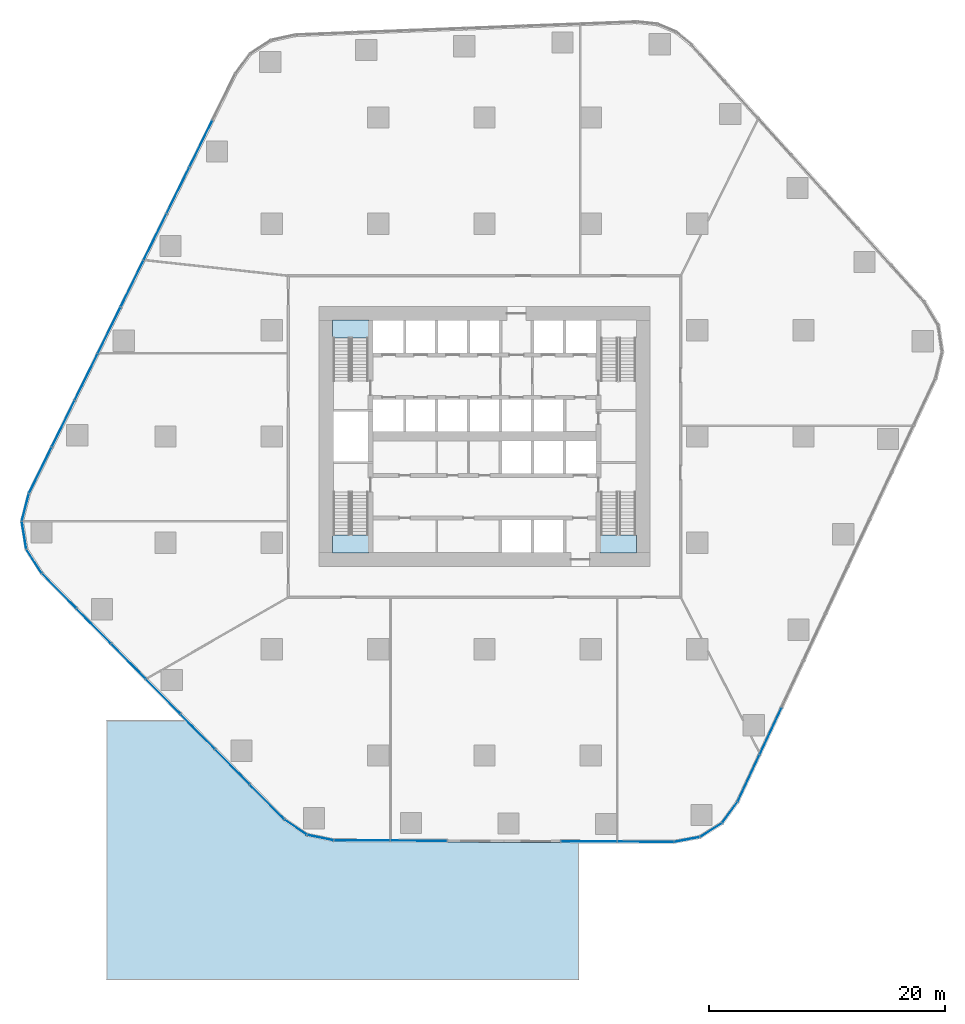
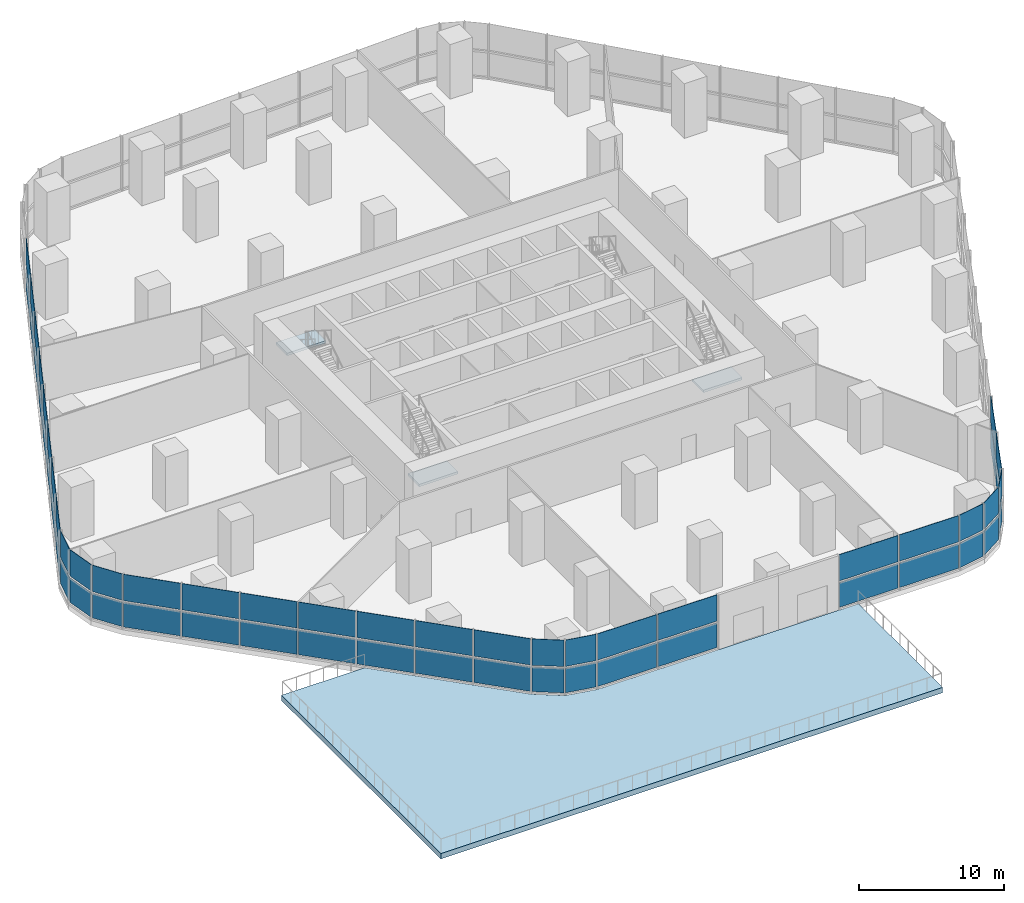
# One storey, part 8 of 15: 58 plates, 4 slabs, 11 elements without a shape of their own.
"""IFC4 building model written with IfcOpenShell, lengths in metres."""

from ifc_helpers import new_model, si_unit, direction, frame, origin, origin_2d, place, context, subcontext, project, spatial, polyline, rectangle, outline, extrude, material, layer, layer_set, type_object, element, aggregate, save


model = new_model("IFC4")

# Units and contexts
model_context = context("Model", 3, precision=1e-05, world=origin(), true_north=direction((0.0, 1.0)))
body_context = subcontext(model_context, "Body", "Model", "MODEL_VIEW")
ifc_project = project(units=[si_unit("LENGTHUNIT", "METRE"), si_unit("AREAUNIT", "SQUARE_METRE"), si_unit("VOLUMEUNIT", "CUBIC_METRE"), si_unit("PLANEANGLEUNIT", "RADIAN"), si_unit("MASSUNIT", "GRAM", prefix="KILO")], contexts=[model_context])

# Site, building, storey
site_placement = place(None, origin())
site = spatial("IfcSite", under=ifc_project, at=site_placement, CompositionType="ELEMENT")
building_placement = place(site_placement, origin())
building = spatial("IfcBuilding", under=site, at=building_placement, Name="Dongbaek Canopy Tower", CompositionType="ELEMENT")
storey_placement = place(building_placement, frame((0.0, 0.0, 33.0)))
storey = spatial("IfcBuildingStorey", under=building, at=storey_placement, Name="L04", CompositionType="ELEMENT", Elevation=33.0)

# Curtain wall, plates
ifc_material_1 = material(Name="Aluminium 6063-T6 pale anodised", Category="aluminium")
ifc_layer_1 = layer(ifc_material_1, 0.300048828125)
ifc_layer_set_1 = layer_set([ifc_layer_1], Name="CW-2 podium hall curtain wall")
curtain_wall_type = type_object("IfcCurtainWallType", Name="CW-2 podium hall curtain wall", PredefinedType="NOTDEFINED", material=ifc_layer_set_1)
curtain_wall_1_placement = place(storey_placement, origin())
curtain_wall_1 = element("IfcCurtainWall", 1, at=curtain_wall_1_placement, inside=storey, type_object=curtain_wall_type, Name="CW-2 curtain wall F2.1", PredefinedType="NOTDEFINED")
ifc_material_2 = material(Name="Clear laminated glass", Category="glass")
ifc_layer_2 = layer(ifc_material_2, 0.035888671875)
ifc_layer_set_2 = layer_set([ifc_layer_2], Name="CW-2 glazed panel 36")
plate_type = type_object("IfcPlateType", Name="CW-2 glazed panel 36", PredefinedType="CURTAIN_PANEL", material=ifc_layer_set_2)
plate_1_placement = place(storey_placement, frame((-24.001953125, 24.771484375, 0.159912109375), z_axis=(0.0, 0.0, 1.0), x_axis=(-0.441341613378, -0.897339166815, 0.0)))
plate_1 = element("IfcPlate", 2, at=plate_1_placement, type_object=plate_type, Name="CW-2 panel F2.1.2.1", PredefinedType="CURTAIN_PANEL", context=body_context, shape_type="SweptSolid", body=[
    extrude(rectangle(XDim=4.29541015625, YDim=0.035888671875, at=origin_2d()), origin(), (0.0, 0.0, 1.0), 2.06005859375),
])
plate_2_placement = place(storey_placement, frame((-24.001953125, 24.771484375, 2.3798828125), z_axis=(0.0, 0.0, 1.0), x_axis=(-0.441341613378, -0.897339166815, 0.0)))
plate_2 = element("IfcPlate", 3, at=plate_2_placement, type_object=plate_type, Name="CW-2 panel F2.1.2.2", PredefinedType="CURTAIN_PANEL", context=body_context, shape_type="SweptSolid", body=[
    extrude(rectangle(XDim=4.29541015625, YDim=0.035888671875, at=origin_2d()), origin(), (0.0, 0.0, 1.0), 2.219970703125),
])
plate_3_placement = place(storey_placement, frame((-25.943603515625, 20.82373046875, 0.159912109375), z_axis=(0.0, 0.0, 1.0), x_axis=(-0.441341613378, -0.897339166815, 0.0)))
plate_3 = element("IfcPlate", 4, at=plate_3_placement, type_object=plate_type, Name="CW-2 panel F2.1.3.1", PredefinedType="CURTAIN_PANEL", context=body_context, shape_type="SweptSolid", body=[
    extrude(rectangle(XDim=4.29541015625, YDim=0.035888671875, at=origin_2d()), origin(), (0.0, 0.0, 1.0), 2.06005859375),
])
plate_4_placement = place(storey_placement, frame((-25.943603515625, 20.82373046875, 2.3798828125), z_axis=(0.0, 0.0, 1.0), x_axis=(-0.441341613378, -0.897339166815, 0.0)))
plate_4 = element("IfcPlate", 5, at=plate_4_placement, type_object=plate_type, Name="CW-2 panel F2.1.3.2", PredefinedType="CURTAIN_PANEL", context=body_context, shape_type="SweptSolid", body=[
    extrude(rectangle(XDim=4.29541015625, YDim=0.035888671875, at=origin_2d()), origin(), (0.0, 0.0, 1.0), 2.219970703125),
])
plate_5_placement = place(storey_placement, frame((-27.88525390625, 16.8759765625, 0.159912109375), z_axis=(0.0, 0.0, 1.0), x_axis=(-0.441341613378, -0.897339166815, 0.0)))
plate_5 = element("IfcPlate", 6, at=plate_5_placement, type_object=plate_type, Name="CW-2 panel F2.1.4.1", PredefinedType="CURTAIN_PANEL", context=body_context, shape_type="SweptSolid", body=[
    extrude(rectangle(XDim=4.29541015625, YDim=0.035888671875, at=origin_2d()), origin(), (0.0, 0.0, 1.0), 2.06005859375),
])
plate_6_placement = place(storey_placement, frame((-27.88525390625, 16.8759765625, 2.3798828125), z_axis=(0.0, 0.0, 1.0), x_axis=(-0.441341613378, -0.897339166815, 0.0)))
plate_6 = element("IfcPlate", 7, at=plate_6_placement, type_object=plate_type, Name="CW-2 panel F2.1.4.2", PredefinedType="CURTAIN_PANEL", context=body_context, shape_type="SweptSolid", body=[
    extrude(rectangle(XDim=4.29541015625, YDim=0.035888671875, at=origin_2d()), origin(), (0.0, 0.0, 1.0), 2.219970703125),
])
plate_7_placement = place(storey_placement, frame((-29.826904296875, 12.92822265625, 0.159912109375), z_axis=(0.0, 0.0, 1.0), x_axis=(-0.441341613378, -0.897339166815, 0.0)))
plate_7 = element("IfcPlate", 8, at=plate_7_placement, type_object=plate_type, Name="CW-2 panel F2.1.5.1", PredefinedType="CURTAIN_PANEL", context=body_context, shape_type="SweptSolid", body=[
    extrude(rectangle(XDim=4.29541015625, YDim=0.035888671875, at=origin_2d()), origin(), (0.0, 0.0, 1.0), 2.06005859375),
])
plate_8_placement = place(storey_placement, frame((-29.826904296875, 12.92822265625, 2.3798828125), z_axis=(0.0, 0.0, 1.0), x_axis=(-0.441341613378, -0.897339166815, 0.0)))
plate_8 = element("IfcPlate", 9, at=plate_8_placement, type_object=plate_type, Name="CW-2 panel F2.1.5.2", PredefinedType="CURTAIN_PANEL", context=body_context, shape_type="SweptSolid", body=[
    extrude(rectangle(XDim=4.29541015625, YDim=0.035888671875, at=origin_2d()), origin(), (0.0, 0.0, 1.0), 2.219970703125),
])
plate_9_placement = place(storey_placement, frame((-31.7685546875, 8.98046875, 0.159912109375), z_axis=(0.0, 0.0, 1.0), x_axis=(-0.441341613378, -0.897339166815, 0.0)))
plate_9 = element("IfcPlate", 10, at=plate_9_placement, type_object=plate_type, Name="CW-2 panel F2.1.6.1", PredefinedType="CURTAIN_PANEL", context=body_context, shape_type="SweptSolid", body=[
    extrude(rectangle(XDim=4.29541015625, YDim=0.035888671875, at=origin_2d()), origin(), (0.0, 0.0, 1.0), 2.06005859375),
])
plate_10_placement = place(storey_placement, frame((-31.7685546875, 8.98046875, 2.3798828125), z_axis=(0.0, 0.0, 1.0), x_axis=(-0.441341613378, -0.897339166815, 0.0)))
plate_10 = element("IfcPlate", 11, at=plate_10_placement, type_object=plate_type, Name="CW-2 panel F2.1.6.2", PredefinedType="CURTAIN_PANEL", context=body_context, shape_type="SweptSolid", body=[
    extrude(rectangle(XDim=4.29541015625, YDim=0.035888671875, at=origin_2d()), origin(), (0.0, 0.0, 1.0), 2.219970703125),
])
plate_11_placement = place(storey_placement, frame((-33.710205078125, 5.032470703125, 0.159912109375), z_axis=(0.0, 0.0, 1.0), x_axis=(-0.441341613378, -0.897339166815, 0.0)))
plate_11 = element("IfcPlate", 12, at=plate_11_placement, type_object=plate_type, Name="CW-2 panel F2.1.7.1", PredefinedType="CURTAIN_PANEL", context=body_context, shape_type="SweptSolid", body=[
    extrude(rectangle(XDim=4.29541015625, YDim=0.035888671875, at=origin_2d()), origin(), (0.0, 0.0, 1.0), 2.06005859375),
])
plate_12_placement = place(storey_placement, frame((-33.710205078125, 5.032470703125, 2.3798828125), z_axis=(0.0, 0.0, 1.0), x_axis=(-0.441341613378, -0.897339166815, 0.0)))
plate_12 = element("IfcPlate", 13, at=plate_12_placement, type_object=plate_type, Name="CW-2 panel F2.1.7.2", PredefinedType="CURTAIN_PANEL", context=body_context, shape_type="SweptSolid", body=[
    extrude(rectangle(XDim=4.29541015625, YDim=0.035888671875, at=origin_2d()), origin(), (0.0, 0.0, 1.0), 2.219970703125),
])
plate_13_placement = place(storey_placement, frame((-35.65185546875, 1.084716796875, 0.159912109375), z_axis=(0.0, 0.0, 1.0), x_axis=(-0.441341613378, -0.897339166815, 0.0)))
plate_13 = element("IfcPlate", 14, at=plate_13_placement, type_object=plate_type, Name="CW-2 panel F2.1.8.1", PredefinedType="CURTAIN_PANEL", context=body_context, shape_type="SweptSolid", body=[
    extrude(rectangle(XDim=4.29541015625, YDim=0.035888671875, at=origin_2d()), origin(), (0.0, 0.0, 1.0), 2.06005859375),
])
plate_14_placement = place(storey_placement, frame((-35.65185546875, 1.084716796875, 2.3798828125), z_axis=(0.0, 0.0, 1.0), x_axis=(-0.441341613378, -0.897339166815, 0.0)))
plate_14 = element("IfcPlate", 15, at=plate_14_placement, type_object=plate_type, Name="CW-2 panel F2.1.8.2", PredefinedType="CURTAIN_PANEL", context=body_context, shape_type="SweptSolid", body=[
    extrude(rectangle(XDim=4.29541015625, YDim=0.035888671875, at=origin_2d()), origin(), (0.0, 0.0, 1.0), 2.219970703125),
])
plate_15_placement = place(storey_placement, frame((-37.59130859375, -2.8583984375, 0.159912109375), z_axis=(0.0, 0.0, 1.0), x_axis=(-0.441341613378, -0.897339166815, 0.0)))
plate_15 = element("IfcPlate", 16, at=plate_15_placement, type_object=plate_type, Name="CW-2 panel F2.1.9.1", PredefinedType="CURTAIN_PANEL", context=body_context, shape_type="SweptSolid", body=[
    extrude(rectangle(XDim=4.28515625, YDim=0.035888671875, at=origin_2d()), origin(), (0.0, 0.0, 1.0), 2.06005859375),
])
plate_16_placement = place(storey_placement, frame((-37.59130859375, -2.8583984375, 2.3798828125), z_axis=(0.0, 0.0, 1.0), x_axis=(-0.441341613378, -0.897339166815, 0.0)))
plate_16 = element("IfcPlate", 17, at=plate_16_placement, type_object=plate_type, Name="CW-2 panel F2.1.9.2", PredefinedType="CURTAIN_PANEL", context=body_context, shape_type="SweptSolid", body=[
    extrude(rectangle(XDim=4.28515625, YDim=0.035888671875, at=origin_2d()), origin(), (0.0, 0.0, 1.0), 2.219970703125),
])
aggregate(curtain_wall_1, [plate_1, plate_2, plate_3, plate_4, plate_5, plate_6, plate_7, plate_8, plate_9, plate_10, plate_11, plate_12, plate_13, plate_14, plate_15, plate_16])

curtain_wall_2_placement = place(storey_placement, origin())
curtain_wall_2 = element("IfcCurtainWall", 18, at=curtain_wall_2_placement, inside=storey, type_object=curtain_wall_type, Name="CW-2 curtain wall K2.1", PredefinedType="NOTDEFINED")
plate_17_placement = place(storey_placement, frame((-38.86083984375, -6.000244140625, 0.159912109375), z_axis=(0.0, 0.0, 1.0), x_axis=(-0.248641038295, -0.968595702074, 0.0)))
plate_17 = element("IfcPlate", 19, at=plate_17_placement, type_object=plate_type, Name="CW-2 panel K2.1.1.1", PredefinedType="CURTAIN_PANEL", context=body_context, shape_type="SweptSolid", body=[
    extrude(rectangle(XDim=2.317138671875, YDim=0.035888671875, at=origin_2d()), origin(), (0.0, 0.0, 1.0), 2.06005859375),
])
plate_18_placement = place(storey_placement, frame((-38.86083984375, -6.000244140625, 2.3798828125), z_axis=(0.0, 0.0, 1.0), x_axis=(-0.248641038295, -0.968595702074, 0.0)))
plate_18 = element("IfcPlate", 20, at=plate_18_placement, type_object=plate_type, Name="CW-2 panel K2.1.1.2", PredefinedType="CURTAIN_PANEL", context=body_context, shape_type="SweptSolid", body=[
    extrude(rectangle(XDim=2.317138671875, YDim=0.035888671875, at=origin_2d()), origin(), (0.0, 0.0, 1.0), 2.219970703125),
])
plate_19_placement = place(storey_placement, frame((-38.969482421875, -8.36279296875, 0.159912109375), z_axis=(0.0, 0.0, 1.0), x_axis=(0.159670565069, -0.987170355435, 0.0)))
plate_19 = element("IfcPlate", 21, at=plate_19_placement, type_object=plate_type, Name="CW-2 panel K2.1.2.1", PredefinedType="CURTAIN_PANEL", context=body_context, shape_type="SweptSolid", body=[
    extrude(rectangle(XDim=2.306640625, YDim=0.035888671875, at=origin_2d()), origin(), (0.0, 0.0, 1.0), 2.06005859375),
])
plate_20_placement = place(storey_placement, frame((-38.969482421875, -8.36279296875, 2.3798828125), z_axis=(0.0, 0.0, 1.0), x_axis=(0.159670565069, -0.987170355435, 0.0)))
plate_20 = element("IfcPlate", 22, at=plate_20_placement, type_object=plate_type, Name="CW-2 panel K2.1.2.2", PredefinedType="CURTAIN_PANEL", context=body_context, shape_type="SweptSolid", body=[
    extrude(rectangle(XDim=2.306640625, YDim=0.035888671875, at=origin_2d()), origin(), (0.0, 0.0, 1.0), 2.219970703125),
])
plate_21_placement = place(storey_placement, frame((-38.12158203125, -10.570556640625, 0.159912109375), z_axis=(0.0, 0.0, 1.0), x_axis=(0.541305923405, -0.840825723493, 0.0)))
plate_21 = element("IfcPlate", 23, at=plate_21_placement, type_object=plate_type, Name="CW-2 panel K2.1.3.1", PredefinedType="CURTAIN_PANEL", context=body_context, shape_type="SweptSolid", body=[
    extrude(rectangle(XDim=2.317138671875, YDim=0.035888671875, at=origin_2d()), origin(), (0.0, 0.0, 1.0), 2.06005859375),
])
plate_22_placement = place(storey_placement, frame((-38.12158203125, -10.570556640625, 2.3798828125), z_axis=(0.0, 0.0, 1.0), x_axis=(0.541305923405, -0.840825723493, 0.0)))
plate_22 = element("IfcPlate", 24, at=plate_22_placement, type_object=plate_type, Name="CW-2 panel K2.1.3.2", PredefinedType="CURTAIN_PANEL", context=body_context, shape_type="SweptSolid", body=[
    extrude(rectangle(XDim=2.317138671875, YDim=0.035888671875, at=origin_2d()), origin(), (0.0, 0.0, 1.0), 2.219970703125),
])
aggregate(curtain_wall_2, [plate_17, plate_18, plate_19, plate_20, plate_21, plate_22])

curtain_wall_3_placement = place(storey_placement, origin())
curtain_wall_3 = element("IfcCurtainWall", 25, at=curtain_wall_3_placement, inside=storey, type_object=curtain_wall_type, Name="CW-2 curtain wall F3.1", PredefinedType="NOTDEFINED")
plate_23_placement = place(storey_placement, frame((-36.00341796875, -13.07373046875, 0.159912109375), z_axis=(0.0, 0.0, 1.0), x_axis=(0.701718254486, -0.712454553863, 0.0)))
plate_23 = element("IfcPlate", 26, at=plate_23_placement, type_object=plate_type, Name="CW-2 panel F3.1.1.1", PredefinedType="CURTAIN_PANEL", context=body_context, shape_type="SweptSolid", body=[
    extrude(rectangle(XDim=4.065673828125, YDim=0.035888671875, at=origin_2d()), origin(), (0.0, 0.0, 1.0), 2.06005859375),
])
plate_24_placement = place(storey_placement, frame((-36.00341796875, -13.07373046875, 2.3798828125), z_axis=(0.0, 0.0, 1.0), x_axis=(0.701718254486, -0.712454553863, 0.0)))
plate_24 = element("IfcPlate", 27, at=plate_24_placement, type_object=plate_type, Name="CW-2 panel F3.1.1.2", PredefinedType="CURTAIN_PANEL", context=body_context, shape_type="SweptSolid", body=[
    extrude(rectangle(XDim=4.065673828125, YDim=0.035888671875, at=origin_2d()), origin(), (0.0, 0.0, 1.0), 2.219970703125),
])
plate_25_placement = place(storey_placement, frame((-33.07373046875, -16.048095703125, 0.159912109375), z_axis=(0.0, 0.0, 1.0), x_axis=(0.701718254486, -0.712454553863, 0.0)))
plate_25 = element("IfcPlate", 28, at=plate_25_placement, type_object=plate_type, Name="CW-2 panel F3.1.2.1", PredefinedType="CURTAIN_PANEL", context=body_context, shape_type="SweptSolid", body=[
    extrude(rectangle(XDim=4.075927734375, YDim=0.035888671875, at=origin_2d()), origin(), (0.0, 0.0, 1.0), 2.06005859375),
])
plate_26_placement = place(storey_placement, frame((-33.07373046875, -16.048095703125, 2.3798828125), z_axis=(0.0, 0.0, 1.0), x_axis=(0.701718254486, -0.712454553863, 0.0)))
plate_26 = element("IfcPlate", 29, at=plate_26_placement, type_object=plate_type, Name="CW-2 panel F3.1.2.2", PredefinedType="CURTAIN_PANEL", context=body_context, shape_type="SweptSolid", body=[
    extrude(rectangle(XDim=4.075927734375, YDim=0.035888671875, at=origin_2d()), origin(), (0.0, 0.0, 1.0), 2.219970703125),
])
plate_27_placement = place(storey_placement, frame((-30.140625, -19.026123046875, 0.159912109375), z_axis=(0.0, 0.0, 1.0), x_axis=(0.701718254486, -0.712454553863, 0.0)))
plate_27 = element("IfcPlate", 30, at=plate_27_placement, type_object=plate_type, Name="CW-2 panel F3.1.3.1", PredefinedType="CURTAIN_PANEL", context=body_context, shape_type="SweptSolid", body=[
    extrude(rectangle(XDim=4.075927734375, YDim=0.035888671875, at=origin_2d()), origin(), (0.0, 0.0, 1.0), 2.06005859375),
])
plate_28_placement = place(storey_placement, frame((-30.140625, -19.026123046875, 2.3798828125), z_axis=(0.0, 0.0, 1.0), x_axis=(0.701718254486, -0.712454553863, 0.0)))
plate_28 = element("IfcPlate", 31, at=plate_28_placement, type_object=plate_type, Name="CW-2 panel F3.1.3.2", PredefinedType="CURTAIN_PANEL", context=body_context, shape_type="SweptSolid", body=[
    extrude(rectangle(XDim=4.075927734375, YDim=0.035888671875, at=origin_2d()), origin(), (0.0, 0.0, 1.0), 2.219970703125),
])
plate_29_placement = place(storey_placement, frame((-27.207275390625, -22.00439453125, 0.159912109375), z_axis=(0.0, 0.0, 1.0), x_axis=(0.701718254486, -0.712454553863, 0.0)))
plate_29 = element("IfcPlate", 32, at=plate_29_placement, type_object=plate_type, Name="CW-2 panel F3.1.4.1", PredefinedType="CURTAIN_PANEL", context=body_context, shape_type="SweptSolid", body=[
    extrude(rectangle(XDim=4.075927734375, YDim=0.035888671875, at=origin_2d()), origin(), (0.0, 0.0, 1.0), 2.06005859375),
])
plate_30_placement = place(storey_placement, frame((-27.207275390625, -22.00439453125, 2.3798828125), z_axis=(0.0, 0.0, 1.0), x_axis=(0.701718254486, -0.712454553863, 0.0)))
plate_30 = element("IfcPlate", 33, at=plate_30_placement, type_object=plate_type, Name="CW-2 panel F3.1.4.2", PredefinedType="CURTAIN_PANEL", context=body_context, shape_type="SweptSolid", body=[
    extrude(rectangle(XDim=4.075927734375, YDim=0.035888671875, at=origin_2d()), origin(), (0.0, 0.0, 1.0), 2.219970703125),
])
plate_31_placement = place(storey_placement, frame((-24.274169921875, -24.982421875, 0.159912109375), z_axis=(0.0, 0.0, 1.0), x_axis=(0.701718254486, -0.712454553863, 0.0)))
plate_31 = element("IfcPlate", 34, at=plate_31_placement, type_object=plate_type, Name="CW-2 panel F3.1.5.1", PredefinedType="CURTAIN_PANEL", context=body_context, shape_type="SweptSolid", body=[
    extrude(rectangle(XDim=4.075927734375, YDim=0.035888671875, at=origin_2d()), origin(), (0.0, 0.0, 1.0), 2.06005859375),
])
plate_32_placement = place(storey_placement, frame((-24.274169921875, -24.982421875, 2.3798828125), z_axis=(0.0, 0.0, 1.0), x_axis=(0.701718254486, -0.712454553863, 0.0)))
plate_32 = element("IfcPlate", 35, at=plate_32_placement, type_object=plate_type, Name="CW-2 panel F3.1.5.2", PredefinedType="CURTAIN_PANEL", context=body_context, shape_type="SweptSolid", body=[
    extrude(rectangle(XDim=4.075927734375, YDim=0.035888671875, at=origin_2d()), origin(), (0.0, 0.0, 1.0), 2.219970703125),
])
plate_33_placement = place(storey_placement, frame((-21.341064453125, -27.96044921875, 0.159912109375), z_axis=(0.0, 0.0, 1.0), x_axis=(0.701718254486, -0.712454553863, 0.0)))
plate_33 = element("IfcPlate", 36, at=plate_33_placement, type_object=plate_type, Name="CW-2 panel F3.1.6.1", PredefinedType="CURTAIN_PANEL", context=body_context, shape_type="SweptSolid", body=[
    extrude(rectangle(XDim=4.075927734375, YDim=0.035888671875, at=origin_2d()), origin(), (0.0, 0.0, 1.0), 2.06005859375),
])
plate_34_placement = place(storey_placement, frame((-21.341064453125, -27.96044921875, 2.3798828125), z_axis=(0.0, 0.0, 1.0), x_axis=(0.701718254486, -0.712454553863, 0.0)))
plate_34 = element("IfcPlate", 37, at=plate_34_placement, type_object=plate_type, Name="CW-2 panel F3.1.6.2", PredefinedType="CURTAIN_PANEL", context=body_context, shape_type="SweptSolid", body=[
    extrude(rectangle(XDim=4.075927734375, YDim=0.035888671875, at=origin_2d()), origin(), (0.0, 0.0, 1.0), 2.219970703125),
])
plate_35_placement = place(storey_placement, frame((-18.411376953125, -30.93505859375, 0.159912109375), z_axis=(0.0, 0.0, 1.0), x_axis=(0.701718254486, -0.712454553863, 0.0)))
plate_35 = element("IfcPlate", 38, at=plate_35_placement, type_object=plate_type, Name="CW-2 panel F3.1.7.1", PredefinedType="CURTAIN_PANEL", context=body_context, shape_type="SweptSolid", body=[
    extrude(rectangle(XDim=4.066162109375, YDim=0.035888671875, at=origin_2d()), origin(), (0.0, 0.0, 1.0), 2.06005859375),
])
plate_36_placement = place(storey_placement, frame((-18.411376953125, -30.93505859375, 2.3798828125), z_axis=(0.0, 0.0, 1.0), x_axis=(0.701718254486, -0.712454553863, 0.0)))
plate_36 = element("IfcPlate", 39, at=plate_36_placement, type_object=plate_type, Name="CW-2 panel F3.1.7.2", PredefinedType="CURTAIN_PANEL", context=body_context, shape_type="SweptSolid", body=[
    extrude(rectangle(XDim=4.066162109375, YDim=0.035888671875, at=origin_2d()), origin(), (0.0, 0.0, 1.0), 2.219970703125),
])
aggregate(curtain_wall_3, [plate_23, plate_24, plate_25, plate_26, plate_27, plate_28, plate_29, plate_30, plate_31, plate_32, plate_33, plate_34, plate_35, plate_36])

curtain_wall_4_placement = place(storey_placement, origin())
curtain_wall_4 = element("IfcCurtainWall", 40, at=curtain_wall_4_placement, inside=storey, type_object=curtain_wall_type, Name="CW-2 curtain wall K3.1", PredefinedType="NOTDEFINED")
plate_37_placement = place(storey_placement, frame((-15.98779296875, -33.07177734375, 0.159912109375), z_axis=(0.0, 0.0, 1.0), x_axis=(0.827666639458, -0.561220040562, 0.0)))
plate_37 = element("IfcPlate", 41, at=plate_37_placement, type_object=plate_type, Name="CW-2 panel K3.1.1.1", PredefinedType="CURTAIN_PANEL", context=body_context, shape_type="SweptSolid", body=[
    extrude(rectangle(XDim=2.21630859375, YDim=0.035888671875, at=origin_2d()), origin(), (0.0, 0.0, 1.0), 2.06005859375),
])
plate_38_placement = place(storey_placement, frame((-15.98779296875, -33.07177734375, 2.3798828125), z_axis=(0.0, 0.0, 1.0), x_axis=(0.827666639458, -0.561220040562, 0.0)))
plate_38 = element("IfcPlate", 42, at=plate_38_placement, type_object=plate_type, Name="CW-2 panel K3.1.1.2", PredefinedType="CURTAIN_PANEL", context=body_context, shape_type="SweptSolid", body=[
    extrude(rectangle(XDim=2.21630859375, YDim=0.035888671875, at=origin_2d()), origin(), (0.0, 0.0, 1.0), 2.219970703125),
])
plate_39_placement = place(storey_placement, frame((-13.890869140625, -33.955078125, 0.159912109375), z_axis=(0.0, 0.0, 1.0), x_axis=(0.979748110799, -0.200233961622, 0.0)))
plate_39 = element("IfcPlate", 43, at=plate_39_placement, type_object=plate_type, Name="CW-2 panel K3.1.2.1", PredefinedType="CURTAIN_PANEL", context=body_context, shape_type="SweptSolid", body=[
    extrude(rectangle(XDim=2.21630859375, YDim=0.035888671875, at=origin_2d()), origin(), (0.0, 0.0, 1.0), 2.06005859375),
])
plate_40_placement = place(storey_placement, frame((-13.890869140625, -33.955078125, 2.3798828125), z_axis=(0.0, 0.0, 1.0), x_axis=(0.979748110799, -0.200233961622, 0.0)))
plate_40 = element("IfcPlate", 44, at=plate_40_placement, type_object=plate_type, Name="CW-2 panel K3.1.2.2", PredefinedType="CURTAIN_PANEL", context=body_context, shape_type="SweptSolid", body=[
    extrude(rectangle(XDim=2.21630859375, YDim=0.035888671875, at=origin_2d()), origin(), (0.0, 0.0, 1.0), 2.219970703125),
])
aggregate(curtain_wall_4, [plate_37, plate_38, plate_39, plate_40])

curtain_wall_5_placement = place(storey_placement, origin())
curtain_wall_5 = element("IfcCurtainWall", 45, at=curtain_wall_5_placement, inside=storey, type_object=curtain_wall_type, Name="CW-2 curtain wall F4.1", PredefinedType="NOTDEFINED")
plate_41_placement = place(storey_placement, frame((-10.358154296875, -34.197998046875, 0.159912109375), z_axis=(0.0, 0.0, 1.0), x_axis=(0.999990026753, -0.004466138597, 0.0)))
plate_41 = element("IfcPlate", 46, at=plate_41_placement, type_object=plate_type, Name="CW-2 panel F4.1.1.1", PredefinedType="CURTAIN_PANEL", context=body_context, shape_type="SweptSolid", body=[
    extrude(rectangle(XDim=4.68798828125, YDim=0.035888671875, at=origin_2d()), origin(), (0.0, 0.0, 1.0), 2.06005859375),
])
plate_42_placement = place(storey_placement, frame((-10.358154296875, -34.197998046875, 2.3798828125), z_axis=(0.0, 0.0, 1.0), x_axis=(0.999990026753, -0.004466138597, 0.0)))
plate_42 = element("IfcPlate", 47, at=plate_42_placement, type_object=plate_type, Name="CW-2 panel F4.1.1.2", PredefinedType="CURTAIN_PANEL", context=body_context, shape_type="SweptSolid", body=[
    extrude(rectangle(XDim=4.68798828125, YDim=0.035888671875, at=origin_2d()), origin(), (0.0, 0.0, 1.0), 2.219970703125),
])
plate_43_placement = place(storey_placement, frame((-5.5615234375, -34.219482421875, 0.159912109375), z_axis=(0.0, 0.0, 1.0), x_axis=(0.999990026753, -0.004466138597, 0.0)))
plate_43 = element("IfcPlate", 48, at=plate_43_placement, type_object=plate_type, Name="CW-2 panel F4.1.2.1", PredefinedType="CURTAIN_PANEL", context=body_context, shape_type="SweptSolid", body=[
    extrude(rectangle(XDim=4.69775390625, YDim=0.035888671875, at=origin_2d()), origin(), (0.0, 0.0, 1.0), 2.06005859375),
])
plate_44_placement = place(storey_placement, frame((-5.5615234375, -34.219482421875, 2.3798828125), z_axis=(0.0, 0.0, 1.0), x_axis=(0.999990026753, -0.004466138597, 0.0)))
plate_44 = element("IfcPlate", 49, at=plate_44_placement, type_object=plate_type, Name="CW-2 panel F4.1.2.2", PredefinedType="CURTAIN_PANEL", context=body_context, shape_type="SweptSolid", body=[
    extrude(rectangle(XDim=4.69775390625, YDim=0.035888671875, at=origin_2d()), origin(), (0.0, 0.0, 1.0), 2.219970703125),
])
aggregate(curtain_wall_5, [plate_41, plate_42, plate_43, plate_44])

curtain_wall_6_placement = place(storey_placement, origin())
curtain_wall_6 = element("IfcCurtainWall", 50, at=curtain_wall_6_placement, inside=storey, type_object=curtain_wall_type, Name="CW-2 curtain wall F4.2", PredefinedType="NOTDEFINED")
plate_45_placement = place(storey_placement, frame((8.84375, -34.283935546875, 0.159912109375), z_axis=(0.0, 0.0, 1.0), x_axis=(0.999990026753, -0.004466138597, 0.0)))
plate_45 = element("IfcPlate", 51, at=plate_45_placement, type_object=plate_type, Name="CW-2 panel F4.2.1.1", PredefinedType="CURTAIN_PANEL", context=body_context, shape_type="SweptSolid", body=[
    extrude(rectangle(XDim=4.69775390625, YDim=0.035888671875, at=origin_2d()), origin(), (0.0, 0.0, 1.0), 2.06005859375),
])
plate_46_placement = place(storey_placement, frame((8.84375, -34.283935546875, 2.3798828125), z_axis=(0.0, 0.0, 1.0), x_axis=(0.999990026753, -0.004466138597, 0.0)))
plate_46 = element("IfcPlate", 52, at=plate_46_placement, type_object=plate_type, Name="CW-2 panel F4.2.1.2", PredefinedType="CURTAIN_PANEL", context=body_context, shape_type="SweptSolid", body=[
    extrude(rectangle(XDim=4.69775390625, YDim=0.035888671875, at=origin_2d()), origin(), (0.0, 0.0, 1.0), 2.219970703125),
])
plate_47_placement = place(storey_placement, frame((13.640625, -34.305419921875, 0.159912109375), z_axis=(0.0, 0.0, 1.0), x_axis=(0.999990026753, -0.004466138597, 0.0)))
plate_47 = element("IfcPlate", 53, at=plate_47_placement, type_object=plate_type, Name="CW-2 panel F4.2.2.1", PredefinedType="CURTAIN_PANEL", context=body_context, shape_type="SweptSolid", body=[
    extrude(rectangle(XDim=4.688232421875, YDim=0.035888671875, at=origin_2d()), origin(), (0.0, 0.0, 1.0), 2.06005859375),
])
plate_48_placement = place(storey_placement, frame((13.640625, -34.305419921875, 2.3798828125), z_axis=(0.0, 0.0, 1.0), x_axis=(0.999990026753, -0.004466138597, 0.0)))
plate_48 = element("IfcPlate", 54, at=plate_48_placement, type_object=plate_type, Name="CW-2 panel F4.2.2.2", PredefinedType="CURTAIN_PANEL", context=body_context, shape_type="SweptSolid", body=[
    extrude(rectangle(XDim=4.688232421875, YDim=0.035888671875, at=origin_2d()), origin(), (0.0, 0.0, 1.0), 2.219970703125),
])
aggregate(curtain_wall_6, [plate_45, plate_46, plate_47, plate_48])

curtain_wall_7_placement = place(storey_placement, origin())
curtain_wall_7 = element("IfcCurtainWall", 55, at=curtain_wall_7_placement, inside=storey, type_object=curtain_wall_type, Name="CW-2 curtain wall K4.1", PredefinedType="NOTDEFINED")
plate_49_placement = place(storey_placement, frame((17.1337890625, -34.110595703125, 0.159912109375), z_axis=(0.0, 0.0, 1.0), x_axis=(0.98292174659, 0.184024020391, 0.0)))
plate_49 = element("IfcPlate", 56, at=plate_49_placement, type_object=plate_type, Name="CW-2 panel K4.1.1.1", PredefinedType="CURTAIN_PANEL", context=body_context, shape_type="SweptSolid", body=[
    extrude(rectangle(XDim=2.128173828125, YDim=0.035888671875, at=origin_2d()), origin(), (0.0, 0.0, 1.0), 2.06005859375),
])
plate_50_placement = place(storey_placement, frame((17.1337890625, -34.110595703125, 2.3798828125), z_axis=(0.0, 0.0, 1.0), x_axis=(0.98292174659, 0.184024020391, 0.0)))
plate_50 = element("IfcPlate", 57, at=plate_50_placement, type_object=plate_type, Name="CW-2 panel K4.1.1.2", PredefinedType="CURTAIN_PANEL", context=body_context, shape_type="SweptSolid", body=[
    extrude(rectangle(XDim=2.128173828125, YDim=0.035888671875, at=origin_2d()), origin(), (0.0, 0.0, 1.0), 2.219970703125),
])
plate_51_placement = place(storey_placement, frame((19.169921875, -33.31103515625, 0.159912109375), z_axis=(0.0, 0.0, 1.0), x_axis=(0.845033442045, 0.534713457681, 0.0)))
plate_51 = element("IfcPlate", 58, at=plate_51_placement, type_object=plate_type, Name="CW-2 panel K4.1.2.1", PredefinedType="CURTAIN_PANEL", context=body_context, shape_type="SweptSolid", body=[
    extrude(rectangle(XDim=2.11865234375, YDim=0.035888671875, at=origin_2d()), origin(), (0.0, 0.0, 1.0), 2.06005859375),
])
plate_52_placement = place(storey_placement, frame((19.169921875, -33.31103515625, 2.3798828125), z_axis=(0.0, 0.0, 1.0), x_axis=(0.845033442045, 0.534713457681, 0.0)))
plate_52 = element("IfcPlate", 59, at=plate_52_placement, type_object=plate_type, Name="CW-2 panel K4.1.2.2", PredefinedType="CURTAIN_PANEL", context=body_context, shape_type="SweptSolid", body=[
    extrude(rectangle(XDim=2.11865234375, YDim=0.035888671875, at=origin_2d()), origin(), (0.0, 0.0, 1.0), 2.219970703125),
])
plate_53_placement = place(storey_placement, frame((20.764404296875, -31.813232421875, 0.159912109375), z_axis=(0.0, 0.0, 1.0), x_axis=(0.587153663418, 0.809475494092, 0.0)))
plate_53 = element("IfcPlate", 60, at=plate_53_placement, type_object=plate_type, Name="CW-2 panel K4.1.3.1", PredefinedType="CURTAIN_PANEL", context=body_context, shape_type="SweptSolid", body=[
    extrude(rectangle(XDim=2.128173828125, YDim=0.035888671875, at=origin_2d()), origin(), (0.0, 0.0, 1.0), 2.06005859375),
])
plate_54_placement = place(storey_placement, frame((20.764404296875, -31.813232421875, 2.3798828125), z_axis=(0.0, 0.0, 1.0), x_axis=(0.587153663418, 0.809475494092, 0.0)))
plate_54 = element("IfcPlate", 61, at=plate_54_placement, type_object=plate_type, Name="CW-2 panel K4.1.3.2", PredefinedType="CURTAIN_PANEL", context=body_context, shape_type="SweptSolid", body=[
    extrude(rectangle(XDim=2.128173828125, YDim=0.035888671875, at=origin_2d()), origin(), (0.0, 0.0, 1.0), 2.219970703125),
])
aggregate(curtain_wall_7, [plate_49, plate_50, plate_51, plate_52, plate_53, plate_54])

curtain_wall_8_placement = place(storey_placement, origin())
curtain_wall_8 = element("IfcCurtainWall", 62, at=curtain_wall_8_placement, inside=storey, type_object=curtain_wall_type, Name="CW-2 curtain wall F5.1", PredefinedType="NOTDEFINED")
plate_55_placement = place(storey_placement, frame((22.350341796875, -28.922607421875, 0.159912109375), z_axis=(0.0, 0.0, 1.0), x_axis=(0.424122871275, 0.905604654395, 0.0)))
plate_55 = element("IfcPlate", 63, at=plate_55_placement, type_object=plate_type, Name="CW-2 panel F5.1.1.1", PredefinedType="CURTAIN_PANEL", context=body_context, shape_type="SweptSolid", body=[
    extrude(rectangle(XDim=4.28466796875, YDim=0.035888671875, at=origin_2d()), origin(), (0.0, 0.0, 1.0), 2.06005859375),
])
plate_56_placement = place(storey_placement, frame((22.350341796875, -28.922607421875, 2.3798828125), z_axis=(0.0, 0.0, 1.0), x_axis=(0.424122871275, 0.905604654395, 0.0)))
plate_56 = element("IfcPlate", 64, at=plate_56_placement, type_object=plate_type, Name="CW-2 panel F5.1.1.2", PredefinedType="CURTAIN_PANEL", context=body_context, shape_type="SweptSolid", body=[
    extrude(rectangle(XDim=4.28466796875, YDim=0.035888671875, at=origin_2d()), origin(), (0.0, 0.0, 1.0), 2.219970703125),
])
plate_57_placement = place(storey_placement, frame((24.213623046875, -24.944091796875, 0.159912109375), z_axis=(0.0, 0.0, 1.0), x_axis=(0.424122871275, 0.905604654395, 0.0)))
plate_57 = element("IfcPlate", 65, at=plate_57_placement, type_object=plate_type, Name="CW-2 panel F5.1.2.1", PredefinedType="CURTAIN_PANEL", context=body_context, shape_type="SweptSolid", body=[
    extrude(rectangle(XDim=4.2939453125, YDim=0.035888671875, at=origin_2d()), origin(), (0.0, 0.0, 1.0), 2.06005859375),
])
plate_58_placement = place(storey_placement, frame((24.213623046875, -24.944091796875, 2.3798828125), z_axis=(0.0, 0.0, 1.0), x_axis=(0.424122871275, 0.905604654395, 0.0)))
plate_58 = element("IfcPlate", 66, at=plate_58_placement, type_object=plate_type, Name="CW-2 panel F5.1.2.2", PredefinedType="CURTAIN_PANEL", context=body_context, shape_type="SweptSolid", body=[
    extrude(rectangle(XDim=4.2939453125, YDim=0.035888671875, at=origin_2d()), origin(), (0.0, 0.0, 1.0), 2.219970703125),
])
aggregate(curtain_wall_8, [plate_55, plate_56, plate_57, plate_58])

# Stair, slab
ifc_material_3 = material(Name="Concrete C40/50", Category="concrete")
stair_type = type_object("IfcStairType", Name="Core exit stair", PredefinedType="HALF_TURN_STAIR", material=ifc_material_3)
stair_1_placement = place(storey_placement, origin())
stair_1 = element("IfcStair", 67, at=stair_1_placement, inside=storey, type_object=stair_type, Name="L04 exit stair C", PredefinedType="HALF_TURN_STAIR")
ifc_material_4 = material(Name="Concrete C40/50", Category="concrete")
ifc_layer_3 = layer(ifc_material_4, 0.199951171875)
ifc_layer_set_3 = layer_set([ifc_layer_3], Name="Core stair landing 200")
slab_type_1 = type_object("IfcSlabType", Name="Core stair landing 200", PredefinedType="LANDING", material=ifc_layer_set_3)
slab_1_placement = place(storey_placement, frame((0.0, 0.0, 2.300048828125)))
slab_1 = element("IfcSlab", 68, at=slab_1_placement, type_object=slab_type_1, Name="ST-C landing 1", PredefinedType="LANDING", context=body_context, shape_type="SweptSolid", body=[
    extrude(outline(polyline([(-9.77490234375, 8.340087890625), (-9.77490234375, 9.875), (-12.875, 9.875), (-12.875, 8.340087890625), (-9.77490234375, 8.340087890625)])), origin(), (0.0, 0.0, 1.0), 0.199951171875),
])
aggregate(stair_1, [slab_1])

stair_2_placement = place(storey_placement, origin())
stair_2 = element("IfcStair", 69, at=stair_2_placement, inside=storey, type_object=stair_type, Name="L04 exit stair B", PredefinedType="HALF_TURN_STAIR")
slab_2_placement = place(storey_placement, frame((0.0, 0.0, 2.300048828125)))
slab_2 = element("IfcSlab", 70, at=slab_2_placement, type_object=slab_type_1, Name="ST-B landing 1", PredefinedType="LANDING", context=body_context, shape_type="SweptSolid", body=[
    extrude(outline(polyline([(9.77490234375, -8.340087890625), (9.77490234375, -9.875), (12.875, -9.875), (12.875, -8.340087890625), (9.77490234375, -8.340087890625)])), origin(), (0.0, 0.0, 1.0), 0.199951171875),
])
aggregate(stair_2, [slab_2])

stair_3_placement = place(storey_placement, origin())
stair_3 = element("IfcStair", 71, at=stair_3_placement, inside=storey, type_object=stair_type, Name="L04 exit stair D", PredefinedType="HALF_TURN_STAIR")
slab_3_placement = place(storey_placement, frame((0.0, 0.0, 2.300048828125)))
slab_3 = element("IfcSlab", 72, at=slab_3_placement, type_object=slab_type_1, Name="ST-D landing 1", PredefinedType="LANDING", context=body_context, shape_type="SweptSolid", body=[
    extrude(outline(polyline([(-12.875, -8.340087890625), (-12.875, -9.875), (-9.77490234375, -9.875), (-9.77490234375, -8.340087890625), (-12.875, -8.340087890625)])), origin(), (0.0, 0.0, 1.0), 0.199951171875),
])
aggregate(stair_3, [slab_3])

# Slab
ifc_material_5 = material(Name="Concrete C40", Category="concrete")
ifc_layer_4 = layer(ifc_material_5, 0.449951171875)
ifc_layer_set_4 = layer_set([ifc_layer_4], Name="RC DECK SLAB 450 Concrete C40")
slab_type_2 = type_object("IfcSlabType", Name="RC DECK SLAB 450 Concrete C40", PredefinedType="FLOOR", material=ifc_layer_set_4)
slab_4_placement = place(storey_placement, frame((0.0, 0.0, -0.449951171875)))
element("IfcSlab", 73, at=slab_4_placement, inside=storey, type_object=slab_type_2, Name="DECK:L04", PredefinedType="FLOOR", context=body_context, shape_type="SweptSolid", body=[
    extrude(outline(polyline([(8.0, -34.380126953125), (-12.764404296875, -34.287353515625), (-15.067138671875, -33.81689453125), (-17.012451171875, -32.497802734375), (-25.382080078125, -24.0), (-32.0, -24.0), (-32.0, -46.0), (8.0, -46.0), (8.0, -34.380126953125)])), origin(), (0.0, 0.0, 1.0), 0.449951171875),
])

save(model, "model.ifc")
